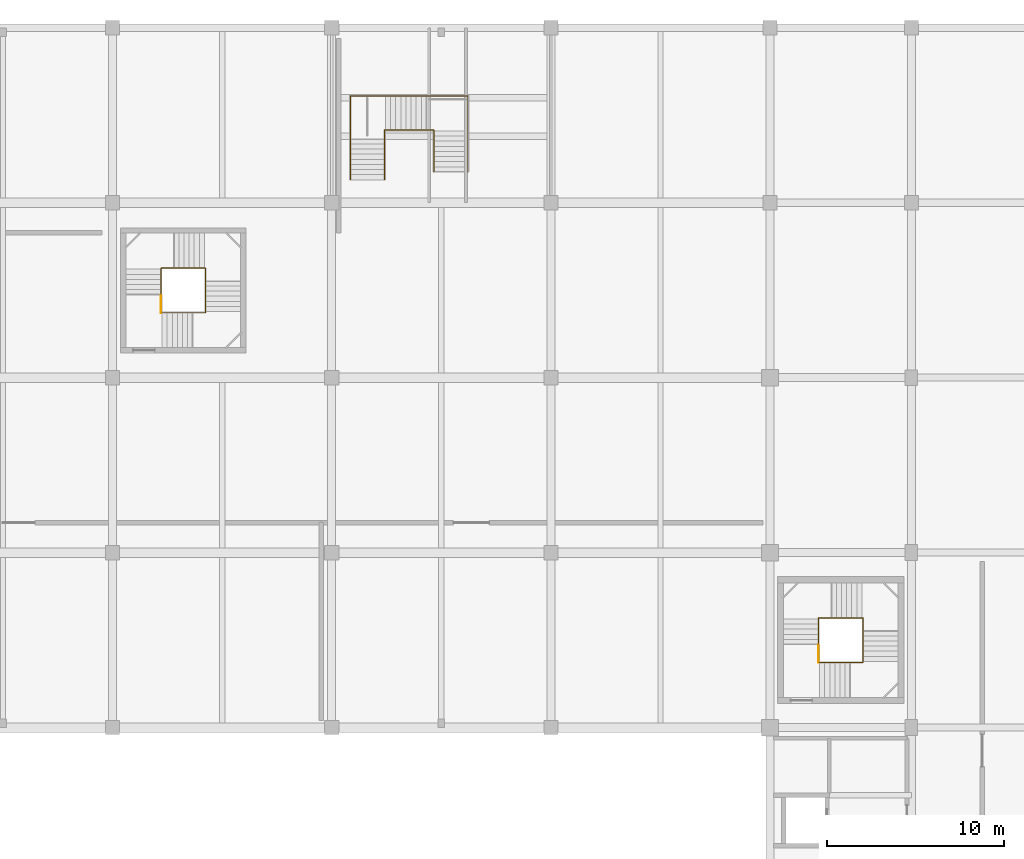
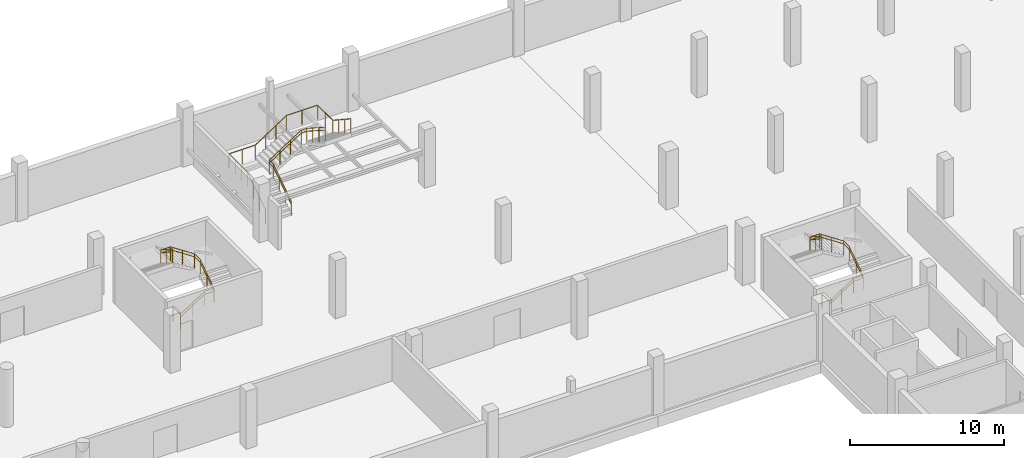
# One storey, part 31 of 32: 9 railings.
"""IFC4 building model written with IfcOpenShell, lengths in metres."""

from ifc_helpers import new_model, si_unit, direction, frame, origin, origin_2d, place, context, subcontext, project, spatial, circle, extrude, material, type_object, element, save


model = new_model("IFC4")

# Units and contexts
model_context = context("Model", 3, precision=1e-05, world=origin(), true_north=direction((0.0, 1.0)))
body_context = subcontext(model_context, "Body", "Model", "MODEL_VIEW")
ifc_project = project(units=[si_unit("LENGTHUNIT", "METRE"), si_unit("AREAUNIT", "SQUARE_METRE"), si_unit("VOLUMEUNIT", "CUBIC_METRE"), si_unit("PLANEANGLEUNIT", "RADIAN"), si_unit("MASSUNIT", "GRAM", prefix="KILO")], contexts=[model_context])

# Site, building, storey
site_placement = place(None, origin())
site = spatial("IfcSite", under=ifc_project, at=site_placement, CompositionType="ELEMENT")
building_placement = place(site_placement, origin())
building = spatial("IfcBuilding", under=site, at=building_placement, Name="Sillaruma Civic Art Gallery", CompositionType="ELEMENT")
storey_placement = place(building_placement, frame((0.0, 0.0, -4.590087890625)))
storey = spatial("IfcBuildingStorey", under=building, at=storey_placement, Name="B01", CompositionType="ELEMENT", Elevation=-4.590087890625)

# Railings
ifc_material = material(Name="Stainless Steel AISI 316", Category="steel")
railing_type_1 = type_object("IfcRailingType", Name="RAL-BAL-1150", PredefinedType="BALUSTRADE", material=ifc_material)
railing_1_placement = place(storey_placement, frame((27.5400390625, 102.679931640625, 0.0)))
element("IfcRailing", 1, at=railing_1_placement, inside=storey, type_object=railing_type_1, Name="Stair Floor Edge Guard (ST-01:B01)", PredefinedType="BALUSTRADE", context=body_context, shape_type="SweptSolid", body=[
    extrude(circle(Radius=0.02392578125, at=origin_2d()), frame((0.0, 0.0, 1.1259765625), z_axis=(0.0, 1.0, 0.0), x_axis=(-1.0, 0.0, 0.0)), (0.0, 0.0, 1.0), 0.969970703125),
    extrude(circle(Radius=0.02099609375, at=origin_2d()), origin(), (0.0, 0.0, 1.0), 1.101806640625),
    extrude(circle(Radius=0.02099609375, at=origin_2d()), frame((0.0, 0.969970703125, 0.0)), (0.0, 0.0, 1.0), 1.101806640625),
])
railing_2_placement = place(storey_placement, frame((27.5400390625, 102.679931640625, 0.0)))
element("IfcRailing", 2, at=railing_2_placement, inside=storey, type_object=railing_type_1, Name="Stair Well Balustrade (ST-01-B01)", PredefinedType="BALUSTRADE", context=body_context, shape_type="SweptSolid", body=[
    extrude(circle(Radius=0.02392578125, at=origin_2d()), frame((0.0, 0.0, 1.1259765625), z_axis=(0.834150363844, 0.0, 0.551537098025), x_axis=(0.0, 1.0, 0.0)), (0.0, 0.0, 1.0), 2.157958984375),
    extrude(circle(Radius=0.02392578125, at=origin_2d()), frame((1.800048828125, 0.0, 2.31591796875), z_axis=(1.0, 0.0, 0.0), x_axis=(0.0, 1.0, 0.0)), (0.0, 0.0, 1.0), 0.719970703125),
    extrude(circle(Radius=0.02392578125, at=origin_2d()), frame((2.52001953125, 0.0, 2.31591796875), z_axis=(0.0, 0.834202413191, 0.551458369984), x_axis=(-1.0, 0.0, 0.0)), (0.0, 0.0, 1.0), 2.15771484375),
    extrude(circle(Radius=0.02392578125, at=origin_2d()), frame((2.52001953125, 1.800048828125, 3.505859375), z_axis=(0.0, 1.0, 0.0), x_axis=(-1.0, 0.0, 0.0)), (0.0, 0.0, 1.0), 0.719970703125),
    extrude(circle(Radius=0.02392578125, at=origin_2d()), frame((2.52001953125, 2.52001953125, 3.505859375), z_axis=(-0.834202413191, 0.0, 0.551458369984), x_axis=(0.0, -1.0, 0.0)), (0.0, 0.0, 1.0), 2.15771484375),
    extrude(circle(Radius=0.02392578125, at=origin_2d()), frame((0.719970703125, 2.52001953125, 4.69580078125), z_axis=(-1.0, 0.0, 0.0), x_axis=(0.0, -1.0, 0.0)), (0.0, 0.0, 1.0), 0.719970703125),
    extrude(circle(Radius=0.02392578125, at=origin_2d()), frame((0.0, 2.52001953125, 4.69580078125), z_axis=(0.0, -0.828654473869, 0.559760451387), x_axis=(1.0, 0.0, 0.0)), (0.0, 0.0, 1.0), 1.822265625),
    extrude(circle(Radius=0.02099609375, at=origin_2d()), origin(), (0.0, 0.0, 1.0), 1.101806640625),
    extrude(circle(Radius=0.02099609375, at=origin_2d()), frame((0.89990234375, 0.0, 0.59521484375)), (0.0, 0.0, 1.0), 1.101806640625),
    extrude(circle(Radius=0.02099609375, at=origin_2d()), frame((1.800048828125, 0.0, 1.190185546875)), (0.0, 0.0, 1.0), 1.101806640625),
    extrude(circle(Radius=0.02099609375, at=origin_2d()), frame((2.52001953125, 0.0, 1.190185546875)), (0.0, 0.0, 1.0), 1.101806640625),
    extrude(circle(Radius=0.02099609375, at=origin_2d()), frame((2.52001953125, 0.89990234375, 1.78515625)), (0.0, 0.0, 1.0), 1.101806640625),
    extrude(circle(Radius=0.02099609375, at=origin_2d()), frame((2.52001953125, 1.800048828125, 2.380126953125)), (0.0, 0.0, 1.0), 1.101806640625),
    extrude(circle(Radius=0.02099609375, at=origin_2d()), frame((2.52001953125, 2.52001953125, 2.380126953125)), (0.0, 0.0, 1.0), 1.101806640625),
    extrude(circle(Radius=0.02099609375, at=origin_2d()), frame((1.6201171875, 2.52001953125, 2.97509765625)), (0.0, 0.0, 1.0), 1.101806640625),
    extrude(circle(Radius=0.02099609375, at=origin_2d()), frame((0.719970703125, 2.52001953125, 3.570068359375)), (0.0, 0.0, 1.0), 1.101806640625),
    extrude(circle(Radius=0.02099609375, at=origin_2d()), frame((0.0, 2.52001953125, 3.570068359375)), (0.0, 0.0, 1.0), 1.101806640625),
    extrude(circle(Radius=0.02099609375, at=origin_2d()), frame((0.0, 1.76513671875, 4.080078125)), (0.0, 0.0, 1.0), 1.101806640625),
    extrude(circle(Radius=0.02099609375, at=origin_2d()), frame((0.0, 1.010009765625, 4.590087890625)), (0.0, 0.0, 1.0), 1.101806640625),
])
railing_3_placement = place(storey_placement, frame((64.739990234375, 82.889892578125, 0.0)))
element("IfcRailing", 3, at=railing_3_placement, inside=storey, type_object=railing_type_1, Name="Stair Floor Edge Guard (ST-02:B01)", PredefinedType="BALUSTRADE", context=body_context, shape_type="SweptSolid", body=[
    extrude(circle(Radius=0.02392578125, at=origin_2d()), frame((0.0, 0.0, 1.1259765625), z_axis=(0.0, 1.0, 0.0), x_axis=(-1.0, 0.0, 0.0)), (0.0, 0.0, 1.0), 0.97021484375),
    extrude(circle(Radius=0.02099609375, at=origin_2d()), origin(), (0.0, 0.0, 1.0), 1.101806640625),
    extrude(circle(Radius=0.02099609375, at=origin_2d()), frame((0.0, 0.97021484375, 0.0)), (0.0, 0.0, 1.0), 1.101806640625),
])
railing_4_placement = place(storey_placement, frame((64.739990234375, 82.889892578125, 0.0)))
element("IfcRailing", 4, at=railing_4_placement, inside=storey, type_object=railing_type_1, Name="Stair Well Balustrade (ST-02-B01)", PredefinedType="BALUSTRADE", context=body_context, shape_type="SweptSolid", body=[
    extrude(circle(Radius=0.02392578125, at=origin_2d()), frame((0.0, 0.0, 1.1259765625), z_axis=(0.834150363844, 0.0, 0.551537098025), x_axis=(0.0, 1.0, 0.0)), (0.0, 0.0, 1.0), 2.157958984375),
    extrude(circle(Radius=0.02392578125, at=origin_2d()), frame((1.800048828125, 0.0, 2.31591796875), z_axis=(1.0, 0.0, 0.0), x_axis=(0.0, 1.0, 0.0)), (0.0, 0.0, 1.0), 0.719970703125),
    extrude(circle(Radius=0.02392578125, at=origin_2d()), frame((2.52001953125, 0.0, 2.31591796875), z_axis=(0.0, 0.834202413191, 0.551458369984), x_axis=(-1.0, 0.0, 0.0)), (0.0, 0.0, 1.0), 2.15771484375),
    extrude(circle(Radius=0.02392578125, at=origin_2d()), frame((2.52001953125, 1.800048828125, 3.505859375), z_axis=(0.0, 1.0, 0.0), x_axis=(-1.0, 0.0, 0.0)), (0.0, 0.0, 1.0), 0.719970703125),
    extrude(circle(Radius=0.02392578125, at=origin_2d()), frame((2.52001953125, 2.52001953125, 3.505859375), z_axis=(-0.834202413191, 0.0, 0.551458369984), x_axis=(0.0, -1.0, 0.0)), (0.0, 0.0, 1.0), 2.15771484375),
    extrude(circle(Radius=0.02392578125, at=origin_2d()), frame((0.719970703125, 2.52001953125, 4.69580078125), z_axis=(-1.0, 0.0, 0.0), x_axis=(0.0, -1.0, 0.0)), (0.0, 0.0, 1.0), 0.719970703125),
    extrude(circle(Radius=0.02392578125, at=origin_2d()), frame((0.0, 2.52001953125, 4.69580078125), z_axis=(0.0, -0.828654473869, 0.559760451387), x_axis=(1.0, 0.0, 0.0)), (0.0, 0.0, 1.0), 1.822265625),
    extrude(circle(Radius=0.02099609375, at=origin_2d()), origin(), (0.0, 0.0, 1.0), 1.101806640625),
    extrude(circle(Radius=0.02099609375, at=origin_2d()), frame((0.89990234375, 0.0, 0.59521484375)), (0.0, 0.0, 1.0), 1.101806640625),
    extrude(circle(Radius=0.02099609375, at=origin_2d()), frame((1.800048828125, 0.0, 1.190185546875)), (0.0, 0.0, 1.0), 1.101806640625),
    extrude(circle(Radius=0.02099609375, at=origin_2d()), frame((2.52001953125, 0.0, 1.190185546875)), (0.0, 0.0, 1.0), 1.101806640625),
    extrude(circle(Radius=0.02099609375, at=origin_2d()), frame((2.52001953125, 0.89990234375, 1.78515625)), (0.0, 0.0, 1.0), 1.101806640625),
    extrude(circle(Radius=0.02099609375, at=origin_2d()), frame((2.52001953125, 1.800048828125, 2.380126953125)), (0.0, 0.0, 1.0), 1.101806640625),
    extrude(circle(Radius=0.02099609375, at=origin_2d()), frame((2.52001953125, 2.52001953125, 2.380126953125)), (0.0, 0.0, 1.0), 1.101806640625),
    extrude(circle(Radius=0.02099609375, at=origin_2d()), frame((1.6201171875, 2.52001953125, 2.97509765625)), (0.0, 0.0, 1.0), 1.101806640625),
    extrude(circle(Radius=0.02099609375, at=origin_2d()), frame((0.719970703125, 2.52001953125, 3.570068359375)), (0.0, 0.0, 1.0), 1.101806640625),
    extrude(circle(Radius=0.02099609375, at=origin_2d()), frame((0.0, 2.52001953125, 3.570068359375)), (0.0, 0.0, 1.0), 1.101806640625),
    extrude(circle(Radius=0.02099609375, at=origin_2d()), frame((0.0, 1.76513671875, 4.080078125)), (0.0, 0.0, 1.0), 1.101806640625),
    extrude(circle(Radius=0.02099609375, at=origin_2d()), frame((0.0, 1.010009765625, 4.590087890625)), (0.0, 0.0, 1.0), 1.101806640625),
])
railing_5_placement = place(storey_placement, frame((40.179931640625, 110.199951171875, 0.0)))
element("IfcRailing", 5, at=railing_5_placement, inside=storey, type_object=railing_type_1, Name="Feature Stair Inner Guard (ST-G01)", PredefinedType="BALUSTRADE", context=body_context, shape_type="SweptSolid", body=[
    extrude(circle(Radius=0.02392578125, at=origin_2d()), frame((0.0, 0.0, 1.1259765625), z_axis=(0.0, 0.834810476361, 0.55053743611), x_axis=(-1.0, 0.0, 0.0)), (0.0, 0.0, 1.0), 2.779052734375),
    extrude(circle(Radius=0.02392578125, at=origin_2d()), frame((0.0, 2.320068359375, 2.65576171875), z_axis=(0.0, 1.0, 0.0), x_axis=(-1.0, 0.0, 0.0)), (0.0, 0.0, 1.0), 0.5),
    extrude(circle(Radius=0.02392578125, at=origin_2d()), frame((0.0, 2.820068359375, 2.65576171875), z_axis=(0.84118688567, 0.0, 0.540744508411), x_axis=(0.0, 1.0, 0.0)), (0.0, 0.0, 1.0), 2.82958984375),
    extrude(circle(Radius=0.02392578125, at=origin_2d()), frame((2.380126953125, 2.820068359375, 4.18603515625), z_axis=(1.0, 0.0, 0.0), x_axis=(0.0, 1.0, 0.0)), (0.0, 0.0, 1.0), 0.419921875),
    extrude(circle(Radius=0.02392578125, at=origin_2d()), frame((2.800048828125, 2.820068359375, 4.18603515625), z_axis=(0.0, -0.84118688567, 0.540744508411), x_axis=(1.0, 0.0, 0.0)), (0.0, 0.0, 1.0), 2.82958984375),
    extrude(circle(Radius=0.02099609375, at=origin_2d()), origin(), (0.0, 0.0, 1.0), 1.101806640625),
    extrude(circle(Radius=0.02099609375, at=origin_2d()), frame((0.0, 0.7734375, 0.510009765625)), (0.0, 0.0, 1.0), 1.101806640625),
    extrude(circle(Radius=0.02099609375, at=origin_2d()), frame((0.0, 1.546630859375, 1.02001953125)), (0.0, 0.0, 1.0), 1.101806640625),
    extrude(circle(Radius=0.02099609375, at=origin_2d()), frame((0.0, 2.320068359375, 1.530029296875)), (0.0, 0.0, 1.0), 1.101806640625),
    extrude(circle(Radius=0.02099609375, at=origin_2d()), frame((0.0, 2.820068359375, 1.530029296875)), (0.0, 0.0, 1.0), 1.101806640625),
    extrude(circle(Radius=0.02099609375, at=origin_2d()), frame((0.79345703125, 2.820068359375, 2.0400390625)), (0.0, 0.0, 1.0), 1.101806640625),
    extrude(circle(Radius=0.02099609375, at=origin_2d()), frame((1.586669921875, 2.820068359375, 2.550048828125)), (0.0, 0.0, 1.0), 1.101806640625),
    extrude(circle(Radius=0.02099609375, at=origin_2d()), frame((2.380126953125, 2.820068359375, 3.06005859375)), (0.0, 0.0, 1.0), 1.101806640625),
    extrude(circle(Radius=0.02099609375, at=origin_2d()), frame((2.800048828125, 2.820068359375, 3.06005859375)), (0.0, 0.0, 1.0), 1.101806640625),
    extrude(circle(Radius=0.02099609375, at=origin_2d()), frame((2.800048828125, 2.026611328125, 3.570068359375)), (0.0, 0.0, 1.0), 1.101806640625),
    extrude(circle(Radius=0.02099609375, at=origin_2d()), frame((2.800048828125, 1.2333984375, 4.080078125)), (0.0, 0.0, 1.0), 1.101806640625),
    extrude(circle(Radius=0.02099609375, at=origin_2d()), frame((2.800048828125, 0.43994140625, 4.590087890625)), (0.0, 0.0, 1.0), 1.101806640625),
])
railing_6_placement = place(storey_placement, frame((38.260009765625, 110.199951171875, 0.0)))
element("IfcRailing", 6, at=railing_6_placement, inside=storey, type_object=railing_type_1, Name="Feature Stair Outer Guard (ST-G01)", PredefinedType="BALUSTRADE", context=body_context, shape_type="SweptSolid", body=[
    extrude(circle(Radius=0.02392578125, at=origin_2d()), frame((0.0, 0.0, 1.1259765625), z_axis=(0.0, 0.834810476361, 0.55053743611), x_axis=(-1.0, 0.0, 0.0)), (0.0, 0.0, 1.0), 2.779052734375),
    extrude(circle(Radius=0.02392578125, at=origin_2d()), frame((0.0, 2.320068359375, 2.65576171875), z_axis=(0.0, 1.0, 0.0), x_axis=(-1.0, 0.0, 0.0)), (0.0, 0.0, 1.0), 2.419921875),
    extrude(circle(Radius=0.02392578125, at=origin_2d()), frame((0.0, 4.739990234375, 2.65576171875), z_axis=(1.0, 0.0, 0.0), x_axis=(0.0, 1.0, 0.0)), (0.0, 0.0, 1.0), 1.97998046875),
    extrude(circle(Radius=0.02392578125, at=origin_2d()), frame((1.97998046875, 4.739990234375, 2.65576171875), z_axis=(0.834810476361, 0.0, 0.55053743611), x_axis=(0.0, 1.0, 0.0)), (0.0, 0.0, 1.0), 2.779052734375),
    extrude(circle(Radius=0.02392578125, at=origin_2d()), frame((4.300048828125, 4.739990234375, 4.18603515625), z_axis=(1.0, 0.0, 0.0), x_axis=(0.0, 1.0, 0.0)), (0.0, 0.0, 1.0), 2.33984375),
    extrude(circle(Radius=0.02392578125, at=origin_2d()), frame((6.639892578125, 4.739990234375, 4.18603515625), z_axis=(0.0, -1.0, 0.0), x_axis=(1.0, 0.0, 0.0)), (0.0, 0.0, 1.0), 1.97998046875),
    extrude(circle(Radius=0.02392578125, at=origin_2d()), frame((6.639892578125, 2.760009765625, 4.18603515625), z_axis=(0.0, -0.834810476361, 0.55053743611), x_axis=(1.0, 0.0, 0.0)), (0.0, 0.0, 1.0), 2.779052734375),
    extrude(circle(Radius=0.02099609375, at=origin_2d()), origin(), (0.0, 0.0, 1.0), 1.101806640625),
    extrude(circle(Radius=0.02099609375, at=origin_2d()), frame((0.0, 0.7734375, 0.510009765625)), (0.0, 0.0, 1.0), 1.101806640625),
    extrude(circle(Radius=0.02099609375, at=origin_2d()), frame((0.0, 1.546630859375, 1.02001953125)), (0.0, 0.0, 1.0), 1.101806640625),
    extrude(circle(Radius=0.02099609375, at=origin_2d()), frame((0.0, 2.320068359375, 1.530029296875)), (0.0, 0.0, 1.0), 1.101806640625),
    extrude(circle(Radius=0.02099609375, at=origin_2d()), frame((0.0, 3.126708984375, 1.530029296875)), (0.0, 0.0, 1.0), 1.101806640625),
    extrude(circle(Radius=0.02099609375, at=origin_2d()), frame((0.0, 3.933349609375, 1.530029296875)), (0.0, 0.0, 1.0), 1.101806640625),
    extrude(circle(Radius=0.02099609375, at=origin_2d()), frame((0.0, 4.739990234375, 1.530029296875)), (0.0, 0.0, 1.0), 1.101806640625),
    extrude(circle(Radius=0.02099609375, at=origin_2d()), frame((0.989990234375, 4.739990234375, 1.530029296875)), (0.0, 0.0, 1.0), 1.101806640625),
    extrude(circle(Radius=0.02099609375, at=origin_2d()), frame((1.97998046875, 4.739990234375, 1.530029296875)), (0.0, 0.0, 1.0), 1.101806640625),
    extrude(circle(Radius=0.02099609375, at=origin_2d()), frame((2.75341796875, 4.739990234375, 2.0400390625)), (0.0, 0.0, 1.0), 1.101806640625),
    extrude(circle(Radius=0.02099609375, at=origin_2d()), frame((3.526611328125, 4.739990234375, 2.550048828125)), (0.0, 0.0, 1.0), 1.101806640625),
    extrude(circle(Radius=0.02099609375, at=origin_2d()), frame((4.300048828125, 4.739990234375, 3.06005859375)), (0.0, 0.0, 1.0), 1.101806640625),
    extrude(circle(Radius=0.02099609375, at=origin_2d()), frame((5.469970703125, 4.739990234375, 3.06005859375)), (0.0, 0.0, 1.0), 1.101806640625),
    extrude(circle(Radius=0.02099609375, at=origin_2d()), frame((6.639892578125, 4.739990234375, 3.06005859375)), (0.0, 0.0, 1.0), 1.101806640625),
    extrude(circle(Radius=0.02099609375, at=origin_2d()), frame((6.639892578125, 3.75, 3.06005859375)), (0.0, 0.0, 1.0), 1.101806640625),
    extrude(circle(Radius=0.02099609375, at=origin_2d()), frame((6.639892578125, 2.760009765625, 3.06005859375)), (0.0, 0.0, 1.0), 1.101806640625),
    extrude(circle(Radius=0.02099609375, at=origin_2d()), frame((6.639892578125, 1.986572265625, 3.570068359375)), (0.0, 0.0, 1.0), 1.101806640625),
    extrude(circle(Radius=0.02099609375, at=origin_2d()), frame((6.639892578125, 1.21337890625, 4.080078125)), (0.0, 0.0, 1.0), 1.101806640625),
    extrude(circle(Radius=0.02099609375, at=origin_2d()), frame((6.639892578125, 0.43994140625, 4.590087890625)), (0.0, 0.0, 1.0), 1.101806640625),
])
railing_type_2 = type_object("IfcRailingType", Name="RAL-HND-920", PredefinedType="HANDRAIL", material=ifc_material)
railing_7_placement = place(storey_placement, frame((27.5400390625, 102.679931640625, 0.0)))
element("IfcRailing", 7, at=railing_7_placement, inside=storey, type_object=railing_type_2, Name="Stair Continuous Handrail (ST-01-B01)", PredefinedType="HANDRAIL", context=body_context, shape_type="SweptSolid", body=[
    extrude(circle(Radius=0.02392578125, at=origin_2d()), frame((0.0, 0.0, 0.89599609375), z_axis=(0.834150363844, 0.0, 0.551537098025), x_axis=(0.0, 1.0, 0.0)), (0.0, 0.0, 1.0), 2.157958984375),
    extrude(circle(Radius=0.02392578125, at=origin_2d()), frame((1.800048828125, 0.0, 2.0859375), z_axis=(1.0, 0.0, 0.0), x_axis=(0.0, 1.0, 0.0)), (0.0, 0.0, 1.0), 0.719970703125),
    extrude(circle(Radius=0.02392578125, at=origin_2d()), frame((2.52001953125, 0.0, 2.0859375), z_axis=(0.0, 0.834202413191, 0.551458369984), x_axis=(-1.0, 0.0, 0.0)), (0.0, 0.0, 1.0), 2.15771484375),
    extrude(circle(Radius=0.02392578125, at=origin_2d()), frame((2.52001953125, 1.800048828125, 3.27587890625), z_axis=(0.0, 1.0, 0.0), x_axis=(-1.0, 0.0, 0.0)), (0.0, 0.0, 1.0), 0.719970703125),
    extrude(circle(Radius=0.02392578125, at=origin_2d()), frame((2.52001953125, 2.52001953125, 3.27587890625), z_axis=(-0.834202413191, 0.0, 0.551458369984), x_axis=(0.0, -1.0, 0.0)), (0.0, 0.0, 1.0), 2.15771484375),
    extrude(circle(Radius=0.02392578125, at=origin_2d()), frame((0.719970703125, 2.52001953125, 4.4658203125), z_axis=(-1.0, 0.0, 0.0), x_axis=(0.0, -1.0, 0.0)), (0.0, 0.0, 1.0), 0.719970703125),
    extrude(circle(Radius=0.02392578125, at=origin_2d()), frame((0.0, 2.52001953125, 4.4658203125), z_axis=(0.0, -0.828654473869, 0.559760451387), x_axis=(1.0, 0.0, 0.0)), (0.0, 0.0, 1.0), 1.822265625),
    extrude(circle(Radius=0.02099609375, at=origin_2d()), origin(), (0.0, 0.0, 1.0), 0.871826171875),
    extrude(circle(Radius=0.02099609375, at=origin_2d()), frame((0.89990234375, 0.0, 0.59521484375)), (0.0, 0.0, 1.0), 0.871826171875),
    extrude(circle(Radius=0.02099609375, at=origin_2d()), frame((1.800048828125, 0.0, 1.190185546875)), (0.0, 0.0, 1.0), 0.871826171875),
    extrude(circle(Radius=0.02099609375, at=origin_2d()), frame((2.52001953125, 0.0, 1.190185546875)), (0.0, 0.0, 1.0), 0.871826171875),
    extrude(circle(Radius=0.02099609375, at=origin_2d()), frame((2.52001953125, 0.89990234375, 1.78515625)), (0.0, 0.0, 1.0), 0.871826171875),
    extrude(circle(Radius=0.02099609375, at=origin_2d()), frame((2.52001953125, 1.800048828125, 2.380126953125)), (0.0, 0.0, 1.0), 0.871826171875),
    extrude(circle(Radius=0.02099609375, at=origin_2d()), frame((2.52001953125, 2.52001953125, 2.380126953125)), (0.0, 0.0, 1.0), 0.871826171875),
    extrude(circle(Radius=0.02099609375, at=origin_2d()), frame((1.6201171875, 2.52001953125, 2.97509765625)), (0.0, 0.0, 1.0), 0.871826171875),
    extrude(circle(Radius=0.02099609375, at=origin_2d()), frame((0.719970703125, 2.52001953125, 3.570068359375)), (0.0, 0.0, 1.0), 0.871826171875),
    extrude(circle(Radius=0.02099609375, at=origin_2d()), frame((0.0, 2.52001953125, 3.570068359375)), (0.0, 0.0, 1.0), 0.871826171875),
    extrude(circle(Radius=0.02099609375, at=origin_2d()), frame((0.0, 1.76513671875, 4.080078125)), (0.0, 0.0, 1.0), 0.871826171875),
    extrude(circle(Radius=0.02099609375, at=origin_2d()), frame((0.0, 1.010009765625, 4.590087890625)), (0.0, 0.0, 1.0), 0.871826171875),
])
railing_8_placement = place(storey_placement, frame((64.739990234375, 82.889892578125, 0.0)))
element("IfcRailing", 8, at=railing_8_placement, inside=storey, type_object=railing_type_2, Name="Stair Continuous Handrail (ST-02-B01)", PredefinedType="HANDRAIL", context=body_context, shape_type="SweptSolid", body=[
    extrude(circle(Radius=0.02392578125, at=origin_2d()), frame((0.0, 0.0, 0.89599609375), z_axis=(0.834150363844, 0.0, 0.551537098025), x_axis=(0.0, 1.0, 0.0)), (0.0, 0.0, 1.0), 2.157958984375),
    extrude(circle(Radius=0.02392578125, at=origin_2d()), frame((1.800048828125, 0.0, 2.0859375), z_axis=(1.0, 0.0, 0.0), x_axis=(0.0, 1.0, 0.0)), (0.0, 0.0, 1.0), 0.719970703125),
    extrude(circle(Radius=0.02392578125, at=origin_2d()), frame((2.52001953125, 0.0, 2.0859375), z_axis=(0.0, 0.834202413191, 0.551458369984), x_axis=(-1.0, 0.0, 0.0)), (0.0, 0.0, 1.0), 2.15771484375),
    extrude(circle(Radius=0.02392578125, at=origin_2d()), frame((2.52001953125, 1.800048828125, 3.27587890625), z_axis=(0.0, 1.0, 0.0), x_axis=(-1.0, 0.0, 0.0)), (0.0, 0.0, 1.0), 0.719970703125),
    extrude(circle(Radius=0.02392578125, at=origin_2d()), frame((2.52001953125, 2.52001953125, 3.27587890625), z_axis=(-0.834202413191, 0.0, 0.551458369984), x_axis=(0.0, -1.0, 0.0)), (0.0, 0.0, 1.0), 2.15771484375),
    extrude(circle(Radius=0.02392578125, at=origin_2d()), frame((0.719970703125, 2.52001953125, 4.4658203125), z_axis=(-1.0, 0.0, 0.0), x_axis=(0.0, -1.0, 0.0)), (0.0, 0.0, 1.0), 0.719970703125),
    extrude(circle(Radius=0.02392578125, at=origin_2d()), frame((0.0, 2.52001953125, 4.4658203125), z_axis=(0.0, -0.828654473869, 0.559760451387), x_axis=(1.0, 0.0, 0.0)), (0.0, 0.0, 1.0), 1.822265625),
    extrude(circle(Radius=0.02099609375, at=origin_2d()), origin(), (0.0, 0.0, 1.0), 0.871826171875),
    extrude(circle(Radius=0.02099609375, at=origin_2d()), frame((0.89990234375, 0.0, 0.59521484375)), (0.0, 0.0, 1.0), 0.871826171875),
    extrude(circle(Radius=0.02099609375, at=origin_2d()), frame((1.800048828125, 0.0, 1.190185546875)), (0.0, 0.0, 1.0), 0.871826171875),
    extrude(circle(Radius=0.02099609375, at=origin_2d()), frame((2.52001953125, 0.0, 1.190185546875)), (0.0, 0.0, 1.0), 0.871826171875),
    extrude(circle(Radius=0.02099609375, at=origin_2d()), frame((2.52001953125, 0.89990234375, 1.78515625)), (0.0, 0.0, 1.0), 0.871826171875),
    extrude(circle(Radius=0.02099609375, at=origin_2d()), frame((2.52001953125, 1.800048828125, 2.380126953125)), (0.0, 0.0, 1.0), 0.871826171875),
    extrude(circle(Radius=0.02099609375, at=origin_2d()), frame((2.52001953125, 2.52001953125, 2.380126953125)), (0.0, 0.0, 1.0), 0.871826171875),
    extrude(circle(Radius=0.02099609375, at=origin_2d()), frame((1.6201171875, 2.52001953125, 2.97509765625)), (0.0, 0.0, 1.0), 0.871826171875),
    extrude(circle(Radius=0.02099609375, at=origin_2d()), frame((0.719970703125, 2.52001953125, 3.570068359375)), (0.0, 0.0, 1.0), 0.871826171875),
    extrude(circle(Radius=0.02099609375, at=origin_2d()), frame((0.0, 2.52001953125, 3.570068359375)), (0.0, 0.0, 1.0), 0.871826171875),
    extrude(circle(Radius=0.02099609375, at=origin_2d()), frame((0.0, 1.76513671875, 4.080078125)), (0.0, 0.0, 1.0), 0.871826171875),
    extrude(circle(Radius=0.02099609375, at=origin_2d()), frame((0.0, 1.010009765625, 4.590087890625)), (0.0, 0.0, 1.0), 0.871826171875),
])
railing_9_placement = place(storey_placement, frame((40.179931640625, 110.199951171875, 0.0)))
element("IfcRailing", 9, at=railing_9_placement, inside=storey, type_object=railing_type_2, Name="Feature Stair Handrail (ST-G01)", PredefinedType="HANDRAIL", context=body_context, shape_type="SweptSolid", body=[
    extrude(circle(Radius=0.02392578125, at=origin_2d()), frame((0.0, 0.0, 0.89599609375), z_axis=(0.0, 0.834810476361, 0.55053743611), x_axis=(-1.0, 0.0, 0.0)), (0.0, 0.0, 1.0), 2.779052734375),
    extrude(circle(Radius=0.02392578125, at=origin_2d()), frame((0.0, 2.320068359375, 2.42578125), z_axis=(0.0, 1.0, 0.0), x_axis=(-1.0, 0.0, 0.0)), (0.0, 0.0, 1.0), 0.5),
    extrude(circle(Radius=0.02392578125, at=origin_2d()), frame((0.0, 2.820068359375, 2.42578125), z_axis=(0.84118688567, 0.0, 0.540744508411), x_axis=(0.0, 1.0, 0.0)), (0.0, 0.0, 1.0), 2.82958984375),
    extrude(circle(Radius=0.02392578125, at=origin_2d()), frame((2.380126953125, 2.820068359375, 3.9560546875), z_axis=(1.0, 0.0, 0.0), x_axis=(0.0, 1.0, 0.0)), (0.0, 0.0, 1.0), 0.419921875),
    extrude(circle(Radius=0.02392578125, at=origin_2d()), frame((2.800048828125, 2.820068359375, 3.9560546875), z_axis=(0.0, -0.84118688567, 0.540744508411), x_axis=(1.0, 0.0, 0.0)), (0.0, 0.0, 1.0), 2.82958984375),
    extrude(circle(Radius=0.02099609375, at=origin_2d()), origin(), (0.0, 0.0, 1.0), 0.871826171875),
    extrude(circle(Radius=0.02099609375, at=origin_2d()), frame((0.0, 0.7734375, 0.510009765625)), (0.0, 0.0, 1.0), 0.871826171875),
    extrude(circle(Radius=0.02099609375, at=origin_2d()), frame((0.0, 1.546630859375, 1.02001953125)), (0.0, 0.0, 1.0), 0.871826171875),
    extrude(circle(Radius=0.02099609375, at=origin_2d()), frame((0.0, 2.320068359375, 1.530029296875)), (0.0, 0.0, 1.0), 0.871826171875),
    extrude(circle(Radius=0.02099609375, at=origin_2d()), frame((0.0, 2.820068359375, 1.530029296875)), (0.0, 0.0, 1.0), 0.871826171875),
    extrude(circle(Radius=0.02099609375, at=origin_2d()), frame((0.79345703125, 2.820068359375, 2.0400390625)), (0.0, 0.0, 1.0), 0.871826171875),
    extrude(circle(Radius=0.02099609375, at=origin_2d()), frame((1.586669921875, 2.820068359375, 2.550048828125)), (0.0, 0.0, 1.0), 0.871826171875),
    extrude(circle(Radius=0.02099609375, at=origin_2d()), frame((2.380126953125, 2.820068359375, 3.06005859375)), (0.0, 0.0, 1.0), 0.871826171875),
    extrude(circle(Radius=0.02099609375, at=origin_2d()), frame((2.800048828125, 2.820068359375, 3.06005859375)), (0.0, 0.0, 1.0), 0.871826171875),
    extrude(circle(Radius=0.02099609375, at=origin_2d()), frame((2.800048828125, 2.026611328125, 3.570068359375)), (0.0, 0.0, 1.0), 0.871826171875),
    extrude(circle(Radius=0.02099609375, at=origin_2d()), frame((2.800048828125, 1.2333984375, 4.080078125)), (0.0, 0.0, 1.0), 0.871826171875),
    extrude(circle(Radius=0.02099609375, at=origin_2d()), frame((2.800048828125, 0.43994140625, 4.590087890625)), (0.0, 0.0, 1.0), 0.871826171875),
])

save(model, "model.ifc")
